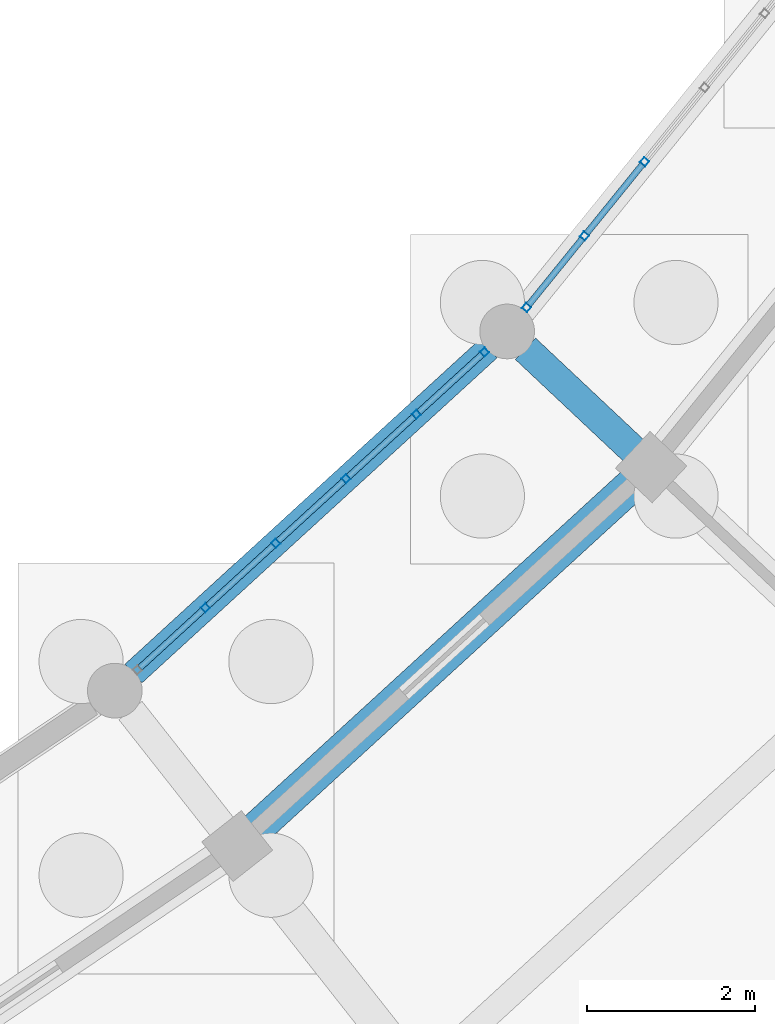
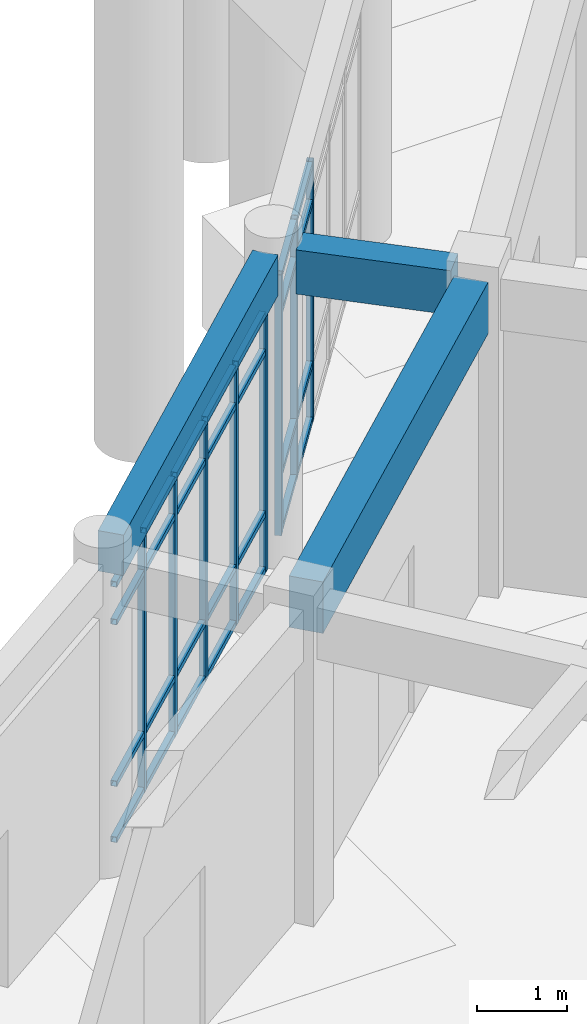
# One storey, part 50 of 153: 36 members, 3 beams, 2 elements without a shape of their own.
"""IFC4 building model written with IfcOpenShell, lengths in metres."""

from ifc_helpers import new_model, si_unit, direction, frame, origin, origin_2d, place, context, subcontext, project, spatial, rectangle, hollow_rectangle, extrude, material, material_profile, profile_set, type_object, element, aggregate, save


model = new_model("IFC4")

# Units and contexts
model_context = context("Model", 3, precision=1e-05, world=origin(), true_north=direction((0.0, 1.0)))
body_context = subcontext(model_context, "Body", "Model", "MODEL_VIEW")
ifc_project = project(units=[si_unit("LENGTHUNIT", "METRE"), si_unit("AREAUNIT", "SQUARE_METRE"), si_unit("VOLUMEUNIT", "CUBIC_METRE"), si_unit("PLANEANGLEUNIT", "RADIAN"), si_unit("MASSUNIT", "GRAM", prefix="KILO")], contexts=[model_context])

# Site, building, storey
site_placement = place(None, origin())
site = spatial("IfcSite", under=ifc_project, at=site_placement, CompositionType="ELEMENT")
building_placement = place(site_placement, origin())
building = spatial("IfcBuilding", under=site, at=building_placement, Name="Celadon Cloister-Ring School", CompositionType="ELEMENT")
storey_placement = place(building_placement, origin())
storey = spatial("IfcBuildingStorey", under=building, at=storey_placement, Name="L00", CompositionType="ELEMENT", Elevation=0.0)

# Beam
ifc_material_1 = material(Name="Concrete C35/45", Category="concrete")
ifc_material_profile_1 = material_profile(ifc_material_1, rectangle(XDim=0.35009765625, YDim=0.60009765625, at=origin_2d()), Name="RC350X600")
ifc_profile_set_1 = profile_set([ifc_material_profile_1], Name="Concrete C35/45")
beam_type_1 = type_object("IfcBeamType", Name="BT-02", PredefinedType="BEAM", material=ifc_profile_set_1)
beam_1_placement = place(storey_placement, frame((119.56494140625, 28.343017578125, 3.97998046875), z_axis=(-0.728438191737, 0.685111524366, 0.0), x_axis=(-0.685111524366, -0.728438191737, 0.0)))
element("IfcBeam", 1, at=beam_1_placement, inside=storey, type_object=beam_type_1, Name="Beam 0045", PredefinedType="BEAM", context=body_context, shape_type="SweptSolid", body=[
    extrude(rectangle(XDim=0.35009765625, YDim=0.60009765625, at=origin_2d()), origin(), (0.0, 0.0, 1.0), 1.77490234375),
])

# Curtain wall, members
ifc_material_2 = material(Name="Aluminium EN AW-6063 T6", Category="aluminium")
curtain_wall_type = type_object("IfcCurtainWallType", Name="CW-01", PredefinedType="USERDEFINED", material=ifc_material_2)
curtain_wall_1_placement = place(storey_placement, origin())
curtain_wall_1 = element("IfcCurtainWall", 2, at=curtain_wall_1_placement, inside=storey, type_object=curtain_wall_type, Name="Curtain Wall 0013", ObjectType="CURTAIN WALL", PredefinedType="USERDEFINED")
ifc_material_3 = material(Name="Aluminium EN AW-6063 T6", Category="aluminium")
ifc_material_profile_2 = material_profile(ifc_material_3, hollow_rectangle(XDim=0.080078125, YDim=0.080078125, WallThickness=0.00390625, at=origin_2d()), Name="RHS80X80X4")
ifc_profile_set_2 = profile_set([ifc_material_profile_2], Name="Aluminium EN AW-6063 T6")
member_type_1 = type_object("IfcMemberType", Name="CM-03", PredefinedType="MULLION", material=ifc_profile_set_2)
member_1_placement = place(storey_placement, frame((114.469970703125, 26.48291015625, 0.0), z_axis=(0.0, 0.0, 1.0), x_axis=(-0.675468961678, 0.737388419905, 0.0)))
member_1 = element("IfcMember", 3, at=member_1_placement, type_object=member_type_1, Name="CW-01 mullion 2", PredefinedType="MULLION", context=body_context, shape_type="SweptSolid", body=[
    extrude(hollow_rectangle(XDim=0.080078125, YDim=0.080078125, WallThickness=0.00390625, at=origin_2d()), origin(), (0.0, 0.0, 1.0), 3.550048828125),
])
member_2_placement = place(storey_placement, frame((115.305908203125, 27.24853515625, 0.0), z_axis=(0.0, 0.0, 1.0), x_axis=(-0.675468961678, 0.737388419905, 0.0)))
member_2 = element("IfcMember", 4, at=member_2_placement, type_object=member_type_1, Name="CW-01 mullion 3", PredefinedType="MULLION", context=body_context, shape_type="SweptSolid", body=[
    extrude(hollow_rectangle(XDim=0.080078125, YDim=0.080078125, WallThickness=0.00390625, at=origin_2d()), origin(), (0.0, 0.0, 1.0), 3.550048828125),
])
member_3_placement = place(storey_placement, frame((116.14208984375, 28.014404296875, 0.0), z_axis=(0.0, 0.0, 1.0), x_axis=(-0.675468961678, 0.737388419905, 0.0)))
member_3 = element("IfcMember", 5, at=member_3_placement, type_object=member_type_1, Name="CW-01 mullion 4", PredefinedType="MULLION", context=body_context, shape_type="SweptSolid", body=[
    extrude(hollow_rectangle(XDim=0.080078125, YDim=0.080078125, WallThickness=0.00390625, at=origin_2d()), origin(), (0.0, 0.0, 1.0), 3.550048828125),
])
member_4_placement = place(storey_placement, frame((116.97802734375, 28.7802734375, 0.0), z_axis=(0.0, 0.0, 1.0), x_axis=(-0.675468961678, 0.737388419905, 0.0)))
member_4 = element("IfcMember", 6, at=member_4_placement, type_object=member_type_1, Name="CW-01 mullion 5", PredefinedType="MULLION", context=body_context, shape_type="SweptSolid", body=[
    extrude(hollow_rectangle(XDim=0.080078125, YDim=0.080078125, WallThickness=0.00390625, at=origin_2d()), origin(), (0.0, 0.0, 1.0), 3.550048828125),
])
member_5_placement = place(storey_placement, frame((117.784423828125, 29.51904296875, 0.0), z_axis=(0.0, 0.0, 1.0), x_axis=(-0.675468961678, 0.737388419905, 0.0)))
member_5 = element("IfcMember", 7, at=member_5_placement, type_object=member_type_1, Name="CW-01 mullion 6", PredefinedType="MULLION", context=body_context, shape_type="SweptSolid", body=[
    extrude(hollow_rectangle(XDim=0.080078125, YDim=0.080078125, WallThickness=0.00390625, at=origin_2d()), origin(), (0.0, 0.0, 1.0), 3.550048828125),
])

curtain_wall_2_placement = place(storey_placement, origin())
curtain_wall_2 = element("IfcCurtainWall", 8, at=curtain_wall_2_placement, inside=storey, type_object=curtain_wall_type, Name="Curtain Wall 0014", ObjectType="CURTAIN WALL", PredefinedType="USERDEFINED")
member_6_placement = place(storey_placement, frame((118.2841796875, 30.048095703125, 0.0), z_axis=(0.0, 0.0, 1.0), x_axis=(-0.777068192474, 0.629416415615, 0.0)))
member_6 = element("IfcMember", 9, at=member_6_placement, type_object=member_type_1, Name="CW-01 mullion 1", PredefinedType="MULLION", context=body_context, shape_type="SweptSolid", body=[
    extrude(hollow_rectangle(XDim=0.080078125, YDim=0.080078125, WallThickness=0.00390625, at=origin_2d()), origin(), (0.0, 0.0, 1.0), 3.550048828125),
])
member_7_placement = place(storey_placement, frame((118.97265625, 30.89794921875, 0.0), z_axis=(0.0, 0.0, 1.0), x_axis=(-0.777068192474, 0.629416415615, 0.0)))
member_7 = element("IfcMember", 10, at=member_7_placement, type_object=member_type_1, Name="CW-01 mullion 2", PredefinedType="MULLION", context=body_context, shape_type="SweptSolid", body=[
    extrude(hollow_rectangle(XDim=0.080078125, YDim=0.080078125, WallThickness=0.00390625, at=origin_2d()), origin(), (0.0, 0.0, 1.0), 3.550048828125),
])
member_8_placement = place(storey_placement, frame((119.686279296875, 31.779052734375, 0.0), z_axis=(0.0, 0.0, 1.0), x_axis=(-0.777068192474, 0.629416415615, 0.0)))
member_8 = element("IfcMember", 11, at=member_8_placement, type_object=member_type_1, Name="CW-01 mullion 3", PredefinedType="MULLION", context=body_context, shape_type="SweptSolid", body=[
    extrude(hollow_rectangle(XDim=0.080078125, YDim=0.080078125, WallThickness=0.00390625, at=origin_2d()), origin(), (0.0, 0.0, 1.0), 3.550048828125),
])

# Member
ifc_material_4 = material(Name="Aluminium EN AW-6063 T6", Category="aluminium")
ifc_material_profile_3 = material_profile(ifc_material_4, hollow_rectangle(XDim=0.074951171875, YDim=0.074951171875, WallThickness=0.00390625, at=origin_2d()), Name="RHS75X75X4")
ifc_profile_set_3 = profile_set([ifc_material_profile_3], Name="Aluminium EN AW-6063 T6")
member_type_2 = type_object("IfcMemberType", Name="CTM-03", PredefinedType="USERDEFINED", material=ifc_profile_set_3)
member_9_placement = place(storey_placement, frame((113.69287109375, 25.77099609375, 0.03759765625), z_axis=(0.737374014786, 0.675484686961, 0.0), x_axis=(-0.675484686961, 0.737374014786, 0.0)))
member_9 = element("IfcMember", 12, at=member_9_placement, type_object=member_type_2, Name="CW-01 transom 1.1", ObjectType="TRANSOM", PredefinedType="USERDEFINED", context=body_context, shape_type="SweptSolid", body=[
    extrude(hollow_rectangle(XDim=0.074951171875, YDim=0.074951171875, WallThickness=0.00390625, at=origin_2d()), origin(), (0.0, 0.0, 1.0), 1.013916015625),
])

member_10_placement = place(storey_placement, frame((113.69287109375, 25.77099609375, 0.800048828125), z_axis=(0.737374014786, 0.675484686961, 0.0), x_axis=(-0.675484686961, 0.737374014786, 0.0)))
member_10 = element("IfcMember", 13, at=member_10_placement, type_object=member_type_2, Name="CW-01 transom 1.2", ObjectType="TRANSOM", PredefinedType="USERDEFINED", context=body_context, shape_type="SweptSolid", body=[
    extrude(hollow_rectangle(XDim=0.074951171875, YDim=0.074951171875, WallThickness=0.00390625, at=origin_2d()), origin(), (0.0, 0.0, 1.0), 1.013916015625),
])

member_11_placement = place(storey_placement, frame((113.69287109375, 25.77099609375, 3.0), z_axis=(0.737374014786, 0.675484686961, 0.0), x_axis=(-0.675484686961, 0.737374014786, 0.0)))
member_11 = element("IfcMember", 14, at=member_11_placement, type_object=member_type_2, Name="CW-01 transom 1.3", ObjectType="TRANSOM", PredefinedType="USERDEFINED", context=body_context, shape_type="SweptSolid", body=[
    extrude(hollow_rectangle(XDim=0.074951171875, YDim=0.074951171875, WallThickness=0.00390625, at=origin_2d()), origin(), (0.0, 0.0, 1.0), 1.013916015625),
])

member_12_placement = place(storey_placement, frame((113.69287109375, 25.77099609375, 3.512451171875), z_axis=(0.737374014786, 0.675484686961, 0.0), x_axis=(-0.675484686961, 0.737374014786, 0.0)))
member_12 = element("IfcMember", 15, at=member_12_placement, type_object=member_type_2, Name="CW-01 transom 1.4", ObjectType="TRANSOM", PredefinedType="USERDEFINED", context=body_context, shape_type="SweptSolid", body=[
    extrude(hollow_rectangle(XDim=0.074951171875, YDim=0.074951171875, WallThickness=0.00390625, at=origin_2d()), origin(), (0.0, 0.0, 1.0), 1.013916015625),
])

member_13_placement = place(storey_placement, frame((114.49951171875, 26.509765625, 0.03759765625), z_axis=(0.737356040012, 0.675504308097, 0.0), x_axis=(-0.675504308097, 0.737356040012, 0.0)))
member_13 = element("IfcMember", 16, at=member_13_placement, type_object=member_type_2, Name="CW-01 transom 2.1", ObjectType="TRANSOM", PredefinedType="USERDEFINED", context=body_context, shape_type="SweptSolid", body=[
    extrude(hollow_rectangle(XDim=0.074951171875, YDim=0.074951171875, WallThickness=0.00390625, at=origin_2d()), origin(), (0.0, 0.0, 1.0), 1.053955078125),
])

member_14_placement = place(storey_placement, frame((114.49951171875, 26.509765625, 0.800048828125), z_axis=(0.737356040012, 0.675504308097, 0.0), x_axis=(-0.675504308097, 0.737356040012, 0.0)))
member_14 = element("IfcMember", 17, at=member_14_placement, type_object=member_type_2, Name="CW-01 transom 2.2", ObjectType="TRANSOM", PredefinedType="USERDEFINED", context=body_context, shape_type="SweptSolid", body=[
    extrude(hollow_rectangle(XDim=0.074951171875, YDim=0.074951171875, WallThickness=0.00390625, at=origin_2d()), origin(), (0.0, 0.0, 1.0), 1.053955078125),
])

member_15_placement = place(storey_placement, frame((114.49951171875, 26.509765625, 3.0), z_axis=(0.737356040012, 0.675504308097, 0.0), x_axis=(-0.675504308097, 0.737356040012, 0.0)))
member_15 = element("IfcMember", 18, at=member_15_placement, type_object=member_type_2, Name="CW-01 transom 2.3", ObjectType="TRANSOM", PredefinedType="USERDEFINED", context=body_context, shape_type="SweptSolid", body=[
    extrude(hollow_rectangle(XDim=0.074951171875, YDim=0.074951171875, WallThickness=0.00390625, at=origin_2d()), origin(), (0.0, 0.0, 1.0), 1.053955078125),
])

member_16_placement = place(storey_placement, frame((114.49951171875, 26.509765625, 3.512451171875), z_axis=(0.737356040012, 0.675504308097, 0.0), x_axis=(-0.675504308097, 0.737356040012, 0.0)))
member_16 = element("IfcMember", 19, at=member_16_placement, type_object=member_type_2, Name="CW-01 transom 2.4", ObjectType="TRANSOM", PredefinedType="USERDEFINED", context=body_context, shape_type="SweptSolid", body=[
    extrude(hollow_rectangle(XDim=0.074951171875, YDim=0.074951171875, WallThickness=0.00390625, at=origin_2d()), origin(), (0.0, 0.0, 1.0), 1.053955078125),
])

member_17_placement = place(storey_placement, frame((115.33544921875, 27.275634765625, 0.03759765625), z_axis=(0.737471431409, 0.675378329424, 0.0), x_axis=(-0.675378329424, 0.737471431409, 0.0)))
member_17 = element("IfcMember", 20, at=member_17_placement, type_object=member_type_2, Name="CW-01 transom 3.1", ObjectType="TRANSOM", PredefinedType="USERDEFINED", context=body_context, shape_type="SweptSolid", body=[
    extrude(hollow_rectangle(XDim=0.074951171875, YDim=0.074951171875, WallThickness=0.00390625, at=origin_2d()), origin(), (0.0, 0.0, 1.0), 1.0537109375),
])

member_18_placement = place(storey_placement, frame((115.33544921875, 27.275634765625, 0.800048828125), z_axis=(0.737471431409, 0.675378329424, 0.0), x_axis=(-0.675378329424, 0.737471431409, 0.0)))
member_18 = element("IfcMember", 21, at=member_18_placement, type_object=member_type_2, Name="CW-01 transom 3.2", ObjectType="TRANSOM", PredefinedType="USERDEFINED", context=body_context, shape_type="SweptSolid", body=[
    extrude(hollow_rectangle(XDim=0.074951171875, YDim=0.074951171875, WallThickness=0.00390625, at=origin_2d()), origin(), (0.0, 0.0, 1.0), 1.0537109375),
])

member_19_placement = place(storey_placement, frame((115.33544921875, 27.275634765625, 3.0), z_axis=(0.737471431409, 0.675378329424, 0.0), x_axis=(-0.675378329424, 0.737471431409, 0.0)))
member_19 = element("IfcMember", 22, at=member_19_placement, type_object=member_type_2, Name="CW-01 transom 3.3", ObjectType="TRANSOM", PredefinedType="USERDEFINED", context=body_context, shape_type="SweptSolid", body=[
    extrude(hollow_rectangle(XDim=0.074951171875, YDim=0.074951171875, WallThickness=0.00390625, at=origin_2d()), origin(), (0.0, 0.0, 1.0), 1.0537109375),
])

member_20_placement = place(storey_placement, frame((115.33544921875, 27.275634765625, 3.512451171875), z_axis=(0.737471431409, 0.675378329424, 0.0), x_axis=(-0.675378329424, 0.737471431409, 0.0)))
member_20 = element("IfcMember", 23, at=member_20_placement, type_object=member_type_2, Name="CW-01 transom 3.4", ObjectType="TRANSOM", PredefinedType="USERDEFINED", context=body_context, shape_type="SweptSolid", body=[
    extrude(hollow_rectangle(XDim=0.074951171875, YDim=0.074951171875, WallThickness=0.00390625, at=origin_2d()), origin(), (0.0, 0.0, 1.0), 1.0537109375),
])

member_21_placement = place(storey_placement, frame((116.17138671875, 28.04150390625, 0.03759765625), z_axis=(0.737471431409, 0.675378329424, 0.0), x_axis=(-0.675378329424, 0.737471431409, 0.0)))
member_21 = element("IfcMember", 24, at=member_21_placement, type_object=member_type_2, Name="CW-01 transom 4.1", ObjectType="TRANSOM", PredefinedType="USERDEFINED", context=body_context, shape_type="SweptSolid", body=[
    extrude(hollow_rectangle(XDim=0.074951171875, YDim=0.074951171875, WallThickness=0.00390625, at=origin_2d()), origin(), (0.0, 0.0, 1.0), 1.0537109375),
])

member_22_placement = place(storey_placement, frame((116.17138671875, 28.04150390625, 0.800048828125), z_axis=(0.737471431409, 0.675378329424, 0.0), x_axis=(-0.675378329424, 0.737471431409, 0.0)))
member_22 = element("IfcMember", 25, at=member_22_placement, type_object=member_type_2, Name="CW-01 transom 4.2", ObjectType="TRANSOM", PredefinedType="USERDEFINED", context=body_context, shape_type="SweptSolid", body=[
    extrude(hollow_rectangle(XDim=0.074951171875, YDim=0.074951171875, WallThickness=0.00390625, at=origin_2d()), origin(), (0.0, 0.0, 1.0), 1.0537109375),
])

member_23_placement = place(storey_placement, frame((116.17138671875, 28.04150390625, 3.0), z_axis=(0.737471431409, 0.675378329424, 0.0), x_axis=(-0.675378329424, 0.737471431409, 0.0)))
member_23 = element("IfcMember", 26, at=member_23_placement, type_object=member_type_2, Name="CW-01 transom 4.3", ObjectType="TRANSOM", PredefinedType="USERDEFINED", context=body_context, shape_type="SweptSolid", body=[
    extrude(hollow_rectangle(XDim=0.074951171875, YDim=0.074951171875, WallThickness=0.00390625, at=origin_2d()), origin(), (0.0, 0.0, 1.0), 1.0537109375),
])

member_24_placement = place(storey_placement, frame((116.17138671875, 28.04150390625, 3.512451171875), z_axis=(0.737471431409, 0.675378329424, 0.0), x_axis=(-0.675378329424, 0.737471431409, 0.0)))
member_24 = element("IfcMember", 27, at=member_24_placement, type_object=member_type_2, Name="CW-01 transom 4.4", ObjectType="TRANSOM", PredefinedType="USERDEFINED", context=body_context, shape_type="SweptSolid", body=[
    extrude(hollow_rectangle(XDim=0.074951171875, YDim=0.074951171875, WallThickness=0.00390625, at=origin_2d()), origin(), (0.0, 0.0, 1.0), 1.0537109375),
])

member_25_placement = place(storey_placement, frame((117.007568359375, 28.80712890625, 0.03759765625), z_axis=(0.737374014786, 0.675484686961, 0.0), x_axis=(-0.675484686961, 0.737374014786, 0.0)))
member_25 = element("IfcMember", 28, at=member_25_placement, type_object=member_type_2, Name="CW-01 transom 5.1", ObjectType="TRANSOM", PredefinedType="USERDEFINED", context=body_context, shape_type="SweptSolid", body=[
    extrude(hollow_rectangle(XDim=0.074951171875, YDim=0.074951171875, WallThickness=0.00390625, at=origin_2d()), origin(), (0.0, 0.0, 1.0), 1.013916015625),
])

member_26_placement = place(storey_placement, frame((117.007568359375, 28.80712890625, 0.800048828125), z_axis=(0.737374014786, 0.675484686961, 0.0), x_axis=(-0.675484686961, 0.737374014786, 0.0)))
member_26 = element("IfcMember", 29, at=member_26_placement, type_object=member_type_2, Name="CW-01 transom 5.2", ObjectType="TRANSOM", PredefinedType="USERDEFINED", context=body_context, shape_type="SweptSolid", body=[
    extrude(hollow_rectangle(XDim=0.074951171875, YDim=0.074951171875, WallThickness=0.00390625, at=origin_2d()), origin(), (0.0, 0.0, 1.0), 1.013916015625),
])

member_27_placement = place(storey_placement, frame((117.007568359375, 28.80712890625, 3.0), z_axis=(0.737374014786, 0.675484686961, 0.0), x_axis=(-0.675484686961, 0.737374014786, 0.0)))
member_27 = element("IfcMember", 30, at=member_27_placement, type_object=member_type_2, Name="CW-01 transom 5.3", ObjectType="TRANSOM", PredefinedType="USERDEFINED", context=body_context, shape_type="SweptSolid", body=[
    extrude(hollow_rectangle(XDim=0.074951171875, YDim=0.074951171875, WallThickness=0.00390625, at=origin_2d()), origin(), (0.0, 0.0, 1.0), 1.013916015625),
])

member_28_placement = place(storey_placement, frame((117.007568359375, 28.80712890625, 3.512451171875), z_axis=(0.737374014786, 0.675484686961, 0.0), x_axis=(-0.675484686961, 0.737374014786, 0.0)))
member_28 = element("IfcMember", 31, at=member_28_placement, type_object=member_type_2, Name="CW-01 transom 5.4", ObjectType="TRANSOM", PredefinedType="USERDEFINED", context=body_context, shape_type="SweptSolid", body=[
    extrude(hollow_rectangle(XDim=0.074951171875, YDim=0.074951171875, WallThickness=0.00390625, at=origin_2d()), origin(), (0.0, 0.0, 1.0), 1.013916015625),
])

aggregate(curtain_wall_1, [member_1, member_2, member_3, member_4, member_5, member_9, member_10, member_11, member_12, member_13, member_14, member_15, member_16, member_17, member_18, member_19, member_20, member_21, member_22, member_23, member_24, member_25, member_26, member_27, member_28])

member_29_placement = place(storey_placement, frame((118.309326171875, 30.0791015625, 0.03759765625), z_axis=(0.629440643306, 0.777048567693, 0.0), x_axis=(-0.777048567693, 0.629440643306, 0.0)))
member_29 = element("IfcMember", 32, at=member_29_placement, type_object=member_type_2, Name="CW-01 transom 1.1", ObjectType="TRANSOM", PredefinedType="USERDEFINED", context=body_context, shape_type="SweptSolid", body=[
    extrude(hollow_rectangle(XDim=0.074951171875, YDim=0.074951171875, WallThickness=0.00390625, at=origin_2d()), origin(), (0.0, 0.0, 1.0), 1.013916015625),
])

member_30_placement = place(storey_placement, frame((118.309326171875, 30.0791015625, 0.800048828125), z_axis=(0.629440643306, 0.777048567693, 0.0), x_axis=(-0.777048567693, 0.629440643306, 0.0)))
member_30 = element("IfcMember", 33, at=member_30_placement, type_object=member_type_2, Name="CW-01 transom 1.2", ObjectType="TRANSOM", PredefinedType="USERDEFINED", context=body_context, shape_type="SweptSolid", body=[
    extrude(hollow_rectangle(XDim=0.074951171875, YDim=0.074951171875, WallThickness=0.00390625, at=origin_2d()), origin(), (0.0, 0.0, 1.0), 1.013916015625),
])

member_31_placement = place(storey_placement, frame((118.309326171875, 30.0791015625, 3.0), z_axis=(0.629440643306, 0.777048567693, 0.0), x_axis=(-0.777048567693, 0.629440643306, 0.0)))
member_31 = element("IfcMember", 34, at=member_31_placement, type_object=member_type_2, Name="CW-01 transom 1.3", ObjectType="TRANSOM", PredefinedType="USERDEFINED", context=body_context, shape_type="SweptSolid", body=[
    extrude(hollow_rectangle(XDim=0.074951171875, YDim=0.074951171875, WallThickness=0.00390625, at=origin_2d()), origin(), (0.0, 0.0, 1.0), 1.013916015625),
])

member_32_placement = place(storey_placement, frame((118.309326171875, 30.0791015625, 3.512451171875), z_axis=(0.629440643306, 0.777048567693, 0.0), x_axis=(-0.777048567693, 0.629440643306, 0.0)))
member_32 = element("IfcMember", 35, at=member_32_placement, type_object=member_type_2, Name="CW-01 transom 1.4", ObjectType="TRANSOM", PredefinedType="USERDEFINED", context=body_context, shape_type="SweptSolid", body=[
    extrude(hollow_rectangle(XDim=0.074951171875, YDim=0.074951171875, WallThickness=0.00390625, at=origin_2d()), origin(), (0.0, 0.0, 1.0), 1.013916015625),
])

member_33_placement = place(storey_placement, frame((118.997802734375, 30.92919921875, 0.03759765625), z_axis=(0.629571440505, 0.776942598459, 0.0), x_axis=(-0.776942598459, 0.629571440505, 0.0)))
member_33 = element("IfcMember", 36, at=member_33_placement, type_object=member_type_2, Name="CW-01 transom 2.1", ObjectType="TRANSOM", PredefinedType="USERDEFINED", context=body_context, shape_type="SweptSolid", body=[
    extrude(hollow_rectangle(XDim=0.074951171875, YDim=0.074951171875, WallThickness=0.00390625, at=origin_2d()), origin(), (0.0, 0.0, 1.0), 1.0537109375),
])

member_34_placement = place(storey_placement, frame((118.997802734375, 30.92919921875, 0.800048828125), z_axis=(0.629571440505, 0.776942598459, 0.0), x_axis=(-0.776942598459, 0.629571440505, 0.0)))
member_34 = element("IfcMember", 37, at=member_34_placement, type_object=member_type_2, Name="CW-01 transom 2.2", ObjectType="TRANSOM", PredefinedType="USERDEFINED", context=body_context, shape_type="SweptSolid", body=[
    extrude(hollow_rectangle(XDim=0.074951171875, YDim=0.074951171875, WallThickness=0.00390625, at=origin_2d()), origin(), (0.0, 0.0, 1.0), 1.0537109375),
])

member_35_placement = place(storey_placement, frame((118.997802734375, 30.92919921875, 3.0), z_axis=(0.629571440505, 0.776942598459, 0.0), x_axis=(-0.776942598459, 0.629571440505, 0.0)))
member_35 = element("IfcMember", 38, at=member_35_placement, type_object=member_type_2, Name="CW-01 transom 2.3", ObjectType="TRANSOM", PredefinedType="USERDEFINED", context=body_context, shape_type="SweptSolid", body=[
    extrude(hollow_rectangle(XDim=0.074951171875, YDim=0.074951171875, WallThickness=0.00390625, at=origin_2d()), origin(), (0.0, 0.0, 1.0), 1.0537109375),
])

member_36_placement = place(storey_placement, frame((118.997802734375, 30.92919921875, 3.512451171875), z_axis=(0.629571440505, 0.776942598459, 0.0), x_axis=(-0.776942598459, 0.629571440505, 0.0)))
member_36 = element("IfcMember", 39, at=member_36_placement, type_object=member_type_2, Name="CW-01 transom 2.4", ObjectType="TRANSOM", PredefinedType="USERDEFINED", context=body_context, shape_type="SweptSolid", body=[
    extrude(hollow_rectangle(XDim=0.074951171875, YDim=0.074951171875, WallThickness=0.00390625, at=origin_2d()), origin(), (0.0, 0.0, 1.0), 1.0537109375),
])

aggregate(curtain_wall_2, [member_6, member_7, member_8, member_29, member_30, member_31, member_32, member_33, member_34, member_35, member_36])

# Beams
ifc_material_5 = material(Name="Concrete C35/45", Category="concrete")
ifc_material_profile_4 = material_profile(ifc_material_5, rectangle(XDim=0.39990234375, YDim=0.699951171875, at=origin_2d()), Name="RC400X700")
ifc_profile_set_4 = profile_set([ifc_material_profile_4], Name="Concrete C35/45")
beam_type_2 = type_object("IfcBeamType", Name="GT-03", PredefinedType="USERDEFINED", material=ifc_profile_set_4)
beam_2_placement = place(storey_placement, frame((115.051025390625, 23.837890625, 3.929931640625), z_axis=(0.737556649421, 0.675285264829, 0.0), x_axis=(-0.675285264829, 0.737556649421, 0.0)))
element("IfcBeam", 40, at=beam_2_placement, inside=storey, type_object=beam_type_2, Name="Beam 0150", ObjectType="GIRDER", PredefinedType="USERDEFINED", context=body_context, shape_type="SweptSolid", body=[
    extrude(rectangle(XDim=0.39990234375, YDim=0.699951171875, at=origin_2d()), origin(), (0.0, 0.0, 1.0), 6.1162109375),
])
ifc_material_6 = material(Name="Concrete C35/45", Category="concrete")
ifc_material_profile_5 = material_profile(ifc_material_6, rectangle(XDim=0.300048828125, YDim=0.550048828125, at=origin_2d()), Name="RC300X550")
ifc_profile_set_5 = profile_set([ifc_material_profile_5], Name="Concrete C35/45")
beam_type_3 = type_object("IfcBeamType", Name="SP-02", PredefinedType="SPANDREL", material=ifc_profile_set_5)
beam_3_placement = place(storey_placement, frame((113.614990234375, 25.700927734375, 4.0048828125), z_axis=(0.737627139735, 0.675208266187, 0.0), x_axis=(-0.675208266187, 0.737627139735, 0.0)))
element("IfcBeam", 41, at=beam_3_placement, inside=storey, type_object=beam_type_3, Name="Beam 0151", PredefinedType="SPANDREL", context=body_context, shape_type="SweptSolid", body=[
    extrude(rectangle(XDim=0.300048828125, YDim=0.550048828125, at=origin_2d()), origin(), (0.0, 0.0, 1.0), 5.71826171875),
])

save(model, "model.ifc")
